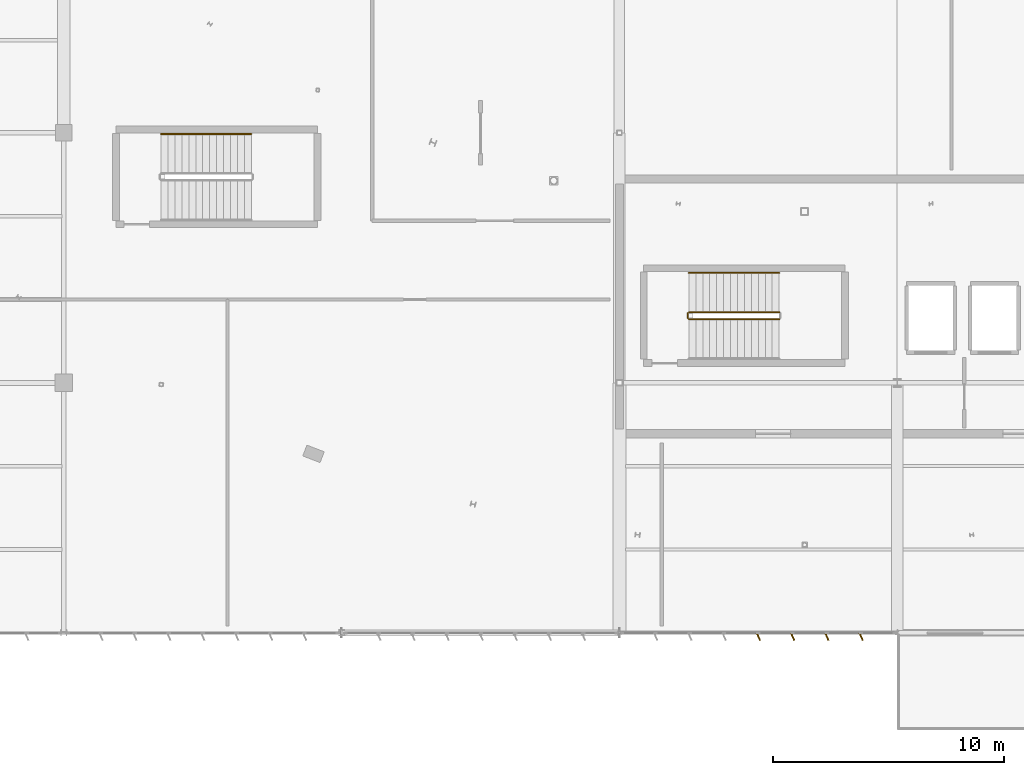
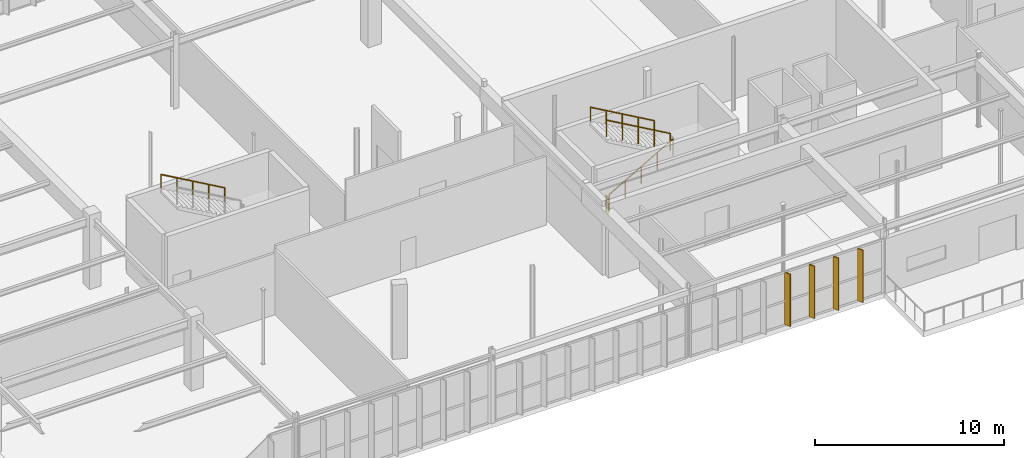
# One storey, part 179 of 199: 5 railings, 4 shading devices.
"""IFC4 building model written with IfcOpenShell, lengths in metres."""

from ifc_helpers import new_model, si_unit, direction, frame, origin, origin_2d, place, context, subcontext, project, spatial, rectangle, circle, extrude, material, layer, layer_set, type_object, element, save


model = new_model("IFC4")

# Units and contexts
model_context = context("Model", 3, precision=1e-05, world=origin(), true_north=direction((0.0, 1.0)))
body_context = subcontext(model_context, "Body", "Model", "MODEL_VIEW")
ifc_project = project(units=[si_unit("LENGTHUNIT", "METRE"), si_unit("AREAUNIT", "SQUARE_METRE"), si_unit("VOLUMEUNIT", "CUBIC_METRE"), si_unit("PLANEANGLEUNIT", "RADIAN"), si_unit("MASSUNIT", "GRAM", prefix="KILO")], contexts=[model_context])

# Site, building, storey
site_placement = place(None, origin())
site = spatial("IfcSite", under=ifc_project, at=site_placement, CompositionType="ELEMENT")
building_placement = place(site_placement, origin())
building = spatial("IfcBuilding", under=site, at=building_placement, Name="Tarnwether General Hospital", CompositionType="ELEMENT")
storey_placement = place(building_placement, origin())
storey = spatial("IfcBuildingStorey", under=building, at=storey_placement, Name="L00", CompositionType="ELEMENT", Elevation=0.0)

# Railings
ifc_material_1 = material(Name="Anodised aluminium", Category="aluminium")
railing_type_1 = type_object("IfcRailingType", Name="RL-GRD-INT", PredefinedType="GUARDRAIL", material=ifc_material_1)
railing_1_placement = place(storey_placement, frame((87.0, 13.550048828125, 0.17138671875)))
element("IfcRailing", 1, at=railing_1_placement, inside=storey, type_object=railing_type_1, Name="L00 ST-02 stair guard 1", PredefinedType="GUARDRAIL", context=body_context, shape_type="SweptSolid", body=[
    extrude(circle(Radius=0.02392578125, at=origin_2d()), frame((0.0, 0.0, 1.076171875), z_axis=(0.868243142124, 0.0, 0.496138938357), x_axis=(0.0, 1.0, 0.0)), (0.0, 0.0, 1.0), 4.49169921875),
    extrude(circle(Radius=0.02099609375, at=origin_2d()), origin(), (0.0, 0.0, 1.0), 1.052001953125),
    extrude(circle(Radius=0.02099609375, at=origin_2d()), frame((0.97509765625, 0.0, 0.55712890625)), (0.0, 0.0, 1.0), 1.052001953125),
    extrude(circle(Radius=0.02099609375, at=origin_2d()), frame((1.949951171875, 0.0, 1.1142578125)), (0.0, 0.0, 1.0), 1.052001953125),
    extrude(circle(Radius=0.02099609375, at=origin_2d()), frame((2.9248046875, 0.0, 1.67138671875)), (0.0, 0.0, 1.0), 1.052001953125),
    extrude(circle(Radius=0.02099609375, at=origin_2d()), frame((3.89990234375, 0.0, 2.228515625)), (0.0, 0.0, 1.0), 1.052001953125),
])
railing_2_placement = place(storey_placement, frame((90.89990234375, 13.85009765625, 2.571533203125)))
element("IfcRailing", 2, at=railing_2_placement, inside=storey, type_object=railing_type_1, Name="L00 ST-02 stair guard 3", PredefinedType="GUARDRAIL", context=body_context, shape_type="SweptSolid", body=[
    extrude(circle(Radius=0.02392578125, at=origin_2d()), frame((0.0, 0.0, 1.076171875), z_axis=(-0.868243142124, 0.0, 0.496138938357), x_axis=(0.0, -1.0, 0.0)), (0.0, 0.0, 1.0), 4.49169921875),
    extrude(circle(Radius=0.02099609375, at=origin_2d()), origin(), (0.0, 0.0, 1.0), 1.052001953125),
    extrude(circle(Radius=0.02099609375, at=origin_2d()), frame((-0.97509765625, 0.0, 0.55712890625)), (0.0, 0.0, 1.0), 1.052001953125),
    extrude(circle(Radius=0.02099609375, at=origin_2d()), frame((-1.949951171875, 0.0, 1.1142578125)), (0.0, 0.0, 1.0), 1.052001953125),
    extrude(circle(Radius=0.02099609375, at=origin_2d()), frame((-2.9248046875, 0.0, 1.67138671875)), (0.0, 0.0, 1.0), 1.052001953125),
    extrude(circle(Radius=0.02099609375, at=origin_2d()), frame((-3.89990234375, 0.0, 2.228515625)), (0.0, 0.0, 1.0), 1.052001953125),
])
railing_3_placement = place(storey_placement, frame((86.949951171875, 13.60009765625, 0.0)))
element("IfcRailing", 3, at=railing_3_placement, inside=storey, type_object=railing_type_1, Name="L00 ST-02 stair guard 4", PredefinedType="GUARDRAIL", context=body_context, shape_type="SweptSolid", body=[
    extrude(circle(Radius=0.02392578125, at=origin_2d()), frame((0.0, 0.0, 1.076171875), z_axis=(0.0, 1.0, 0.0), x_axis=(-1.0, 0.0, 0.0)), (0.0, 0.0, 1.0), 0.199951171875),
    extrude(circle(Radius=0.02099609375, at=origin_2d()), origin(), (0.0, 0.0, 1.0), 1.052001953125),
    extrude(circle(Radius=0.02099609375, at=origin_2d()), frame((0.0, 0.199951171875, 0.0)), (0.0, 0.0, 1.0), 1.052001953125),
])
ifc_material_2 = material(Name="Anodised aluminium", Category="aluminium")
railing_type_2 = type_object("IfcRailingType", Name="RL-HND-INT", PredefinedType="HANDRAIL", material=ifc_material_2)
railing_4_placement = place(storey_placement, frame((90.89990234375, 15.550048828125, 2.571533203125)))
element("IfcRailing", 4, at=railing_4_placement, inside=storey, type_object=railing_type_2, Name="L00 ST-02 stair handrail 2", PredefinedType="HANDRAIL", context=body_context, shape_type="SweptSolid", body=[
    extrude(circle(Radius=0.02392578125, at=origin_2d()), frame((0.0, 0.0, 0.8759765625), z_axis=(-0.868243142124, 0.0, 0.496138938357), x_axis=(0.0, -1.0, 0.0)), (0.0, 0.0, 1.0), 4.49169921875),
    extrude(circle(Radius=0.02099609375, at=origin_2d()), origin(), (0.0, 0.0, 1.0), 0.851806640625),
    extrude(circle(Radius=0.02099609375, at=origin_2d()), frame((-0.97509765625, 0.0, 0.55712890625)), (0.0, 0.0, 1.0), 0.851806640625),
    extrude(circle(Radius=0.02099609375, at=origin_2d()), frame((-1.949951171875, 0.0, 1.1142578125)), (0.0, 0.0, 1.0), 0.851806640625),
    extrude(circle(Radius=0.02099609375, at=origin_2d()), frame((-2.9248046875, 0.0, 1.67138671875)), (0.0, 0.0, 1.0), 0.851806640625),
    extrude(circle(Radius=0.02099609375, at=origin_2d()), frame((-3.89990234375, 0.0, 2.228515625)), (0.0, 0.0, 1.0), 0.851806640625),
])
railing_5_placement = place(storey_placement, frame((68.10009765625, 21.550048828125, 2.571533203125)))
element("IfcRailing", 5, at=railing_5_placement, inside=storey, type_object=railing_type_2, Name="L00 ST-09 stair handrail 2", PredefinedType="HANDRAIL", context=body_context, shape_type="SweptSolid", body=[
    extrude(circle(Radius=0.02392578125, at=origin_2d()), frame((0.0, 0.0, 0.8759765625), z_axis=(-0.868256520506, 0.0, 0.496115525457), x_axis=(0.0, -1.0, 0.0)), (0.0, 0.0, 1.0), 4.491943359375),
    extrude(circle(Radius=0.02099609375, at=origin_2d()), origin(), (0.0, 0.0, 1.0), 0.851806640625),
    extrude(circle(Radius=0.02099609375, at=origin_2d()), frame((-0.97509765625, 0.0, 0.55712890625)), (0.0, 0.0, 1.0), 0.851806640625),
    extrude(circle(Radius=0.02099609375, at=origin_2d()), frame((-1.9501953125, 0.0, 1.1142578125)), (0.0, 0.0, 1.0), 0.851806640625),
    extrude(circle(Radius=0.02099609375, at=origin_2d()), frame((-2.925048828125, 0.0, 1.67138671875)), (0.0, 0.0, 1.0), 0.851806640625),
    extrude(circle(Radius=0.02099609375, at=origin_2d()), frame((-3.900146484375, 0.0, 2.228515625)), (0.0, 0.0, 1.0), 0.851806640625),
])

# Shading devices
ifc_material_3 = material(Name="Champagne-bronze anodised aluminium", Category="aluminium")
ifc_layer = layer(ifc_material_3, 0.06005859375)
ifc_layer_set = layer_set([ifc_layer], Name="Champagne-bronze anodised aluminium")
shading_device_type = type_object("IfcShadingDeviceType", Name="SH-FIN-BRZ", PredefinedType="USERDEFINED", material=ifc_layer_set)
for number, where, z_axis, x_axis, name in (
    (6, (94.43701171875, -0.159912109375, 0.050048828125), (0.0, 0.0, 1.0), (-0.906307787037, -0.422618261741, 0.0), "Champagne-Bronze Brise-Soleil Fin 0047"),
    (7, (92.9580078125, -0.159912109375, 0.050048828125), (0.0, 0.0, 1.0), (-0.906307787037, -0.422618261741, 0.0), "Champagne-Bronze Brise-Soleil Fin 0048"),
    (8, (91.47900390625, -0.159912109375, 0.050048828125), (0.0, 0.0, 1.0), (-0.906307787037, -0.422618261741, 0.0), "Champagne-Bronze Brise-Soleil Fin 0049"),
    (9, (90.0, -0.159912109375, 0.050048828125), (0.0, 0.0, 1.0), (-0.906307787037, -0.422618261741, 0.0), "Champagne-Bronze Brise-Soleil Fin 0050"),
):
    element("IfcShadingDevice", number, at=place(storey_placement, frame(where, z_axis=z_axis, x_axis=x_axis)), inside=storey, type_object=shading_device_type, Name=name, ObjectType="SOLAR FIN", PredefinedType="USERDEFINED", context=body_context, shape_type="SweptSolid", body=[
        extrude(rectangle(XDim=0.06005859375, YDim=0.360107421875, at=origin_2d()), origin(), (0.0, 0.0, 1.0), 3.3798828125),
    ])

save(model, "model.ifc")
